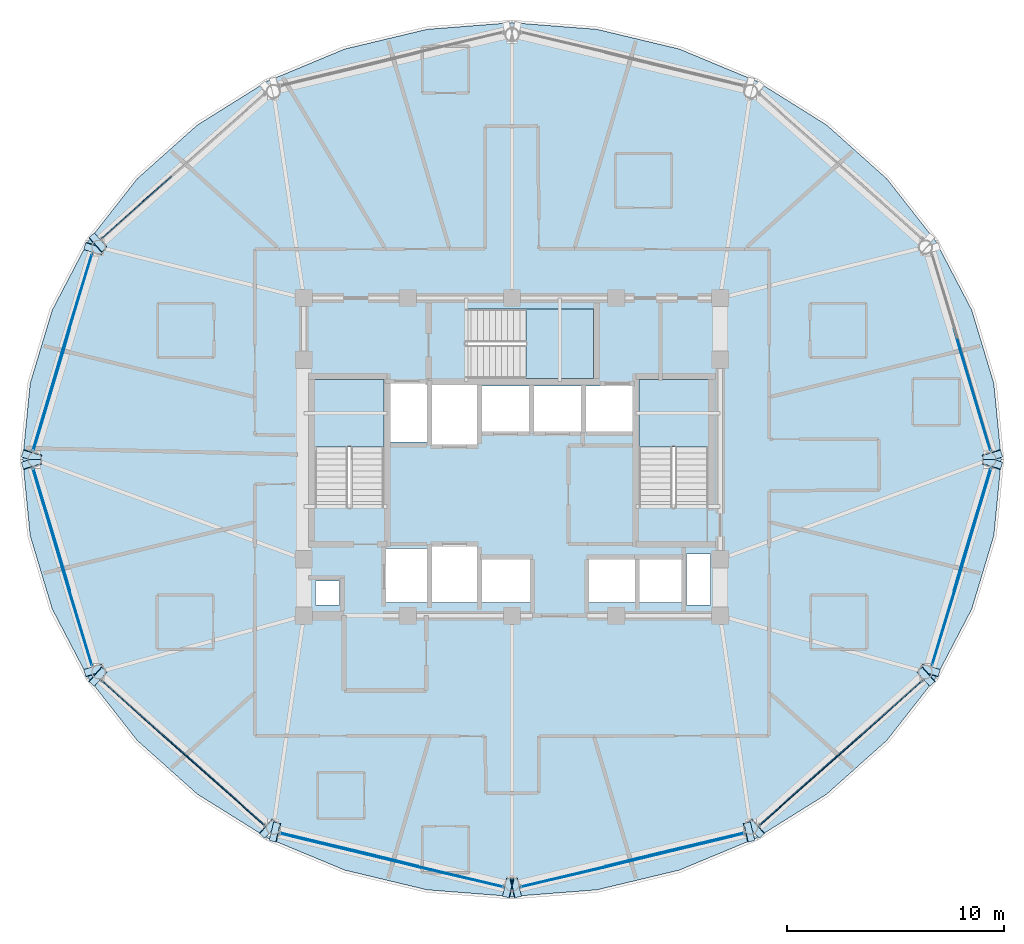
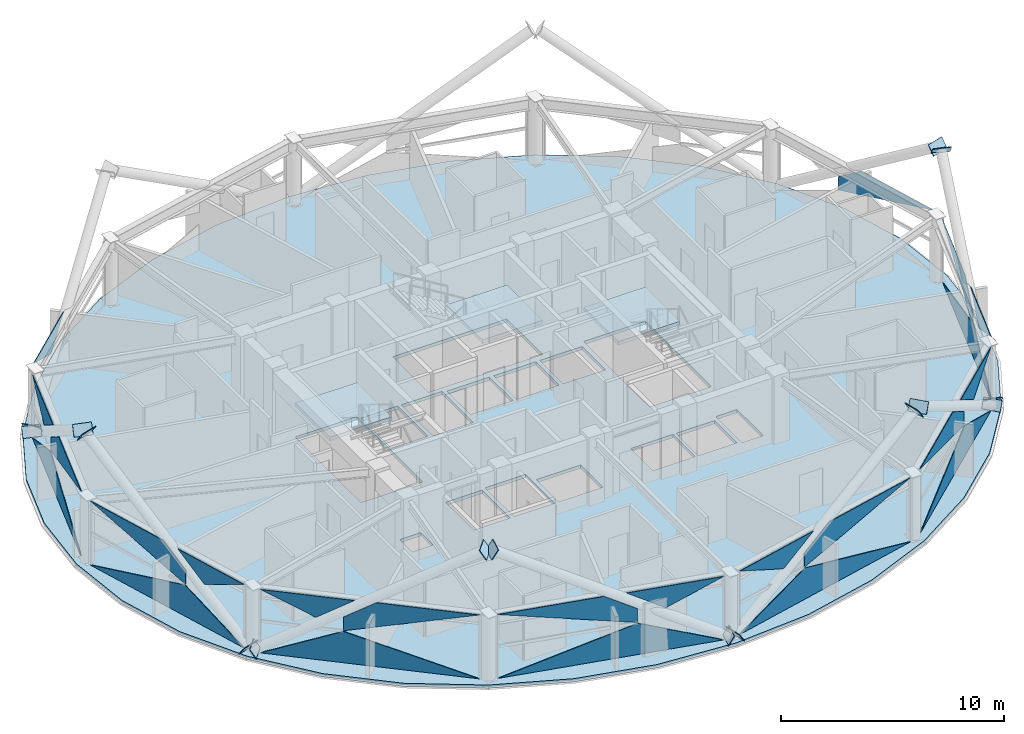
# One storey, part 20 of 29: 39 plates, 4 slabs, 12 elements without a shape of their own.
"""IFC4 building model written with IfcOpenShell, lengths in metres."""

from ifc_helpers import new_model, si_unit, direction, frame, origin, place, context, subcontext, project, spatial, polyline, outline, extrude, material, layer, layer_set, type_object, element, aggregate, save


model = new_model("IFC4")

# Units and contexts
model_context = context("Model", 3, precision=1e-05, world=origin(), true_north=direction((0.0, 1.0)))
body_context = subcontext(model_context, "Body", "Model", "MODEL_VIEW")
ifc_project = project(units=[si_unit("LENGTHUNIT", "METRE"), si_unit("AREAUNIT", "SQUARE_METRE"), si_unit("VOLUMEUNIT", "CUBIC_METRE"), si_unit("PLANEANGLEUNIT", "RADIAN"), si_unit("MASSUNIT", "GRAM", prefix="KILO")], contexts=[model_context])

# Site, building, storey
site_placement = place(None, origin())
site = spatial("IfcSite", under=ifc_project, at=site_placement, CompositionType="ELEMENT")
building_placement = place(site_placement, origin())
building = spatial("IfcBuilding", under=site, at=building_placement, Name="Vantalir Tower", CompositionType="ELEMENT")
storey_placement = place(building_placement, frame((0.0, 0.0, 219.89990234375)))
storey = spatial("IfcBuildingStorey", under=building, at=storey_placement, Name="L55", CompositionType="ELEMENT", Elevation=219.89990234375)

# Curtain wall, plate
ifc_material_1 = material(Name="Champagne-silver PVDF aluminium and double-silver Low-E glass", Category="aluminium")
ifc_layer_1 = layer(ifc_material_1, 0.2099609375)
ifc_layer_set_1 = layer_set([ifc_layer_1], Name="Champagne-silver PVDF aluminium and double-silver Low-E glass")
curtain_wall_type = type_object("IfcCurtainWallType", Name="CW-DIAMOND-Z3", PredefinedType="USERDEFINED", material=ifc_layer_set_1)
curtain_wall_1_placement = place(storey_placement, origin())
curtain_wall_1 = element("IfcCurtainWall", 1, at=curtain_wall_1_placement, inside=storey, type_object=curtain_wall_type, Name="L55 Quilted Pyramid-Diamond Curtain Wall S01", ObjectType="UNITISED CURTAIN WALL", PredefinedType="USERDEFINED")
ifc_material_2 = material(Name="Double-silver Low-E acoustic glass IGU", Category="glass")
ifc_layer_2 = layer(ifc_material_2, 0.031982421875)
ifc_layer_set_2 = layer_set([ifc_layer_2], Name="Double-silver Low-E acoustic glass IGU")
plate_type_1 = type_object("IfcPlateType", Name="CWP-IGU-32", PredefinedType="CURTAIN_PANEL", material=ifc_layer_set_2)
plate_1_placement = place(storey_placement, frame((53.58056640625, 25.406982421875, 3.5234375), z_axis=(0.957557363639, 0.287914713784, 0.013748197249), x_axis=(-0.287941206436, 0.957648087056, -5.4725193e-05)))
plate_1 = element("IfcPlate", 2, at=plate_1_placement, type_object=plate_type_1, Name="CW-L55-S01 Pyramid Diamond Facet 2U", PredefinedType="CURTAIN_PANEL", context=body_context, shape_type="SweptSolid", body=[
    extrude(outline(polyline([(0.0, 0.0), (4.455553396488735, 2.0057740190981832e-18), (5.873326933818842, -0.9824374492257266), (5.873361287401218, -1.7256714450875144), (0.0, 0.0)])), origin(), (0.0, 0.0, -1.0), 0.031982421875),
])
aggregate(curtain_wall_1, [plate_1])

curtain_wall_2_placement = place(storey_placement, origin())
curtain_wall_2 = element("IfcCurtainWall", 3, at=curtain_wall_2_placement, inside=storey, type_object=curtain_wall_type, Name="L55 Quilted Pyramid-Diamond Curtain Wall S05", ObjectType="UNITISED CURTAIN WALL", PredefinedType="USERDEFINED")
plate_2_placement = place(storey_placement, frame((15.78271484375, 38.069580078125, 3.52392578125), z_axis=(-0.665199383223, 0.746542545049, 0.013564991371), x_axis=(-0.746611749887, -0.665260018129, -5.6651624e-05)))
plate_2 = element("IfcPlate", 4, at=plate_2_placement, type_object=plate_type_1, Name="CW-L55-S05 Pyramid Diamond Facet 2U Infill Light", PredefinedType="CURTAIN_PANEL", context=body_context, shape_type="SweptSolid", body=[
    extrude(outline(polyline([(0.0, 0.0), (4.309507983716701, 2.656295322589486e-18), (1.7567963689053114, -1.1552802098499733), (0.0, 0.0)])), origin(), (0.0, 0.0, -1.0), 0.031982421875),
])
aggregate(curtain_wall_2, [plate_2])

# Curtain wall, plates
curtain_wall_3_placement = place(storey_placement, origin())
curtain_wall_3 = element("IfcCurtainWall", 5, at=curtain_wall_3_placement, inside=storey, type_object=curtain_wall_type, Name="L55 Quilted Pyramid-Diamond Curtain Wall S06", ObjectType="UNITISED CURTAIN WALL", PredefinedType="USERDEFINED")
plate_3_placement = place(storey_placement, frame((12.149658203125, 34.486083984375, 0.047119140625), z_axis=(0.957545460034, -0.287948928144, 0.01386025788), x_axis=(-0.287976248669, -0.957637551237, -2.5751252e-05)))
plate_3 = element("IfcPlate", 6, at=plate_3_placement, type_object=plate_type_1, Name="CW-L55-S06 Pyramid Diamond Facet 1L", PredefinedType="CURTAIN_PANEL", context=body_context, shape_type="SweptSolid", body=[
    extrude(outline(polyline([(0.0, 0.0), (9.48072843506402, 3.2255014631443757e-18), (3.607418022445197, -1.7256004506840508), (0.0, 0.0)])), origin(), (0.0, 0.0, -1.0), 0.031982421875),
])
plate_4_placement = place(storey_placement, frame((10.702392578125, 29.673828125, 3.523193359375), z_axis=(-0.957557363639, 0.287914713784, 0.013748197249), x_axis=(-0.287941206436, -0.957648087056, 5.4725193e-05)))
plate_4 = element("IfcPlate", 7, at=plate_4_placement, type_object=plate_type_1, Name="CW-L55-S06 Pyramid Diamond Facet 2U", PredefinedType="CURTAIN_PANEL", context=body_context, shape_type="SweptSolid", body=[
    extrude(outline(polyline([(0.0, 0.0), (4.455553396488735, -2.0057740190981832e-18), (-1.4178078909124832, -1.7256714450875144), (-1.4177735373301064, -0.9824374492257266), (0.0, 0.0)])), origin(), (0.0, 0.0, -1.0), 0.031982421875),
])
plate_5_placement = place(storey_placement, frame((12.115234375, 34.49658203125, 3.523681640625), z_axis=(-0.957547937677, 0.28794366385, 0.013798315063), x_axis=(-0.287971079066, -0.957639106147, 0.0)))
plate_5 = element("IfcPlate", 8, at=plate_5_placement, type_object=plate_type_1, Name="CW-L55-S06 Pyramid Diamond Facet 2U Infill Light", PredefinedType="CURTAIN_PANEL", context=body_context, shape_type="SweptSolid", body=[
    extrude(outline(polyline([(0.0, 0.0), (4.060941110971159, -3.469446951953614e-18), (2.4024804780970235, -1.1492793347398085), (0.0, 0.0)])), origin(), (0.0, 0.0, -1.0), 0.031982421875),
])
aggregate(curtain_wall_3, [plate_3, plate_4, plate_5])

curtain_wall_4_placement = place(storey_placement, origin())
curtain_wall_4 = element("IfcCurtainWall", 9, at=curtain_wall_4_placement, inside=storey, type_object=curtain_wall_type, Name="L55 Quilted Pyramid-Diamond Curtain Wall S07", ObjectType="UNITISED CURTAIN WALL", PredefinedType="USERDEFINED")
plate_6_placement = place(storey_placement, frame((9.41943359375, 24.593017578125, 0.046875), z_axis=(0.957545460034, 0.287948928144, 0.01386025788), x_axis=(0.287976248669, -0.957637551237, 2.5751252e-05)))
plate_6 = element("IfcPlate", 10, at=plate_6_placement, type_object=plate_type_1, Name="CW-L55-S07 Pyramid Diamond Facet 1L", PredefinedType="CURTAIN_PANEL", context=body_context, shape_type="SweptSolid", body=[
    extrude(outline(polyline([(0.0, 0.0), (9.48072843506402, -3.2255014631443757e-18), (5.873310412618822, -1.725600450684051), (0.0, 0.0)])), origin(), (0.0, 0.0, -1.0), 0.031982421875),
])
plate_7_placement = place(storey_placement, frame((9.41943359375, 24.593017578125, 3.5234375), z_axis=(-0.957557363639, -0.287914713784, 0.013748197249), x_axis=(0.287941206436, -0.957648087056, -5.4725193e-05)))
plate_7 = element("IfcPlate", 11, at=plate_7_placement, type_object=plate_type_1, Name="CW-L55-S07 Pyramid Diamond Facet 2U", PredefinedType="CURTAIN_PANEL", context=body_context, shape_type="SweptSolid", body=[
    extrude(outline(polyline([(0.0, 0.0), (4.455553396488735, 2.0057740190981832e-18), (5.873326933818842, -0.9824374492257266), (5.873361287401218, -1.7256714450875144), (0.0, 0.0)])), origin(), (0.0, 0.0, -1.0), 0.031982421875),
])
plate_8_placement = place(storey_placement, frame((10.94580078125, 19.392333984375, 3.523681640625), z_axis=(-0.957547937677, -0.28794366385, 0.013798315063), x_axis=(0.287971079066, -0.957639106147, 0.0)))
plate_8 = element("IfcPlate", 12, at=plate_8_placement, type_object=plate_type_1, Name="CW-L55-S07 Pyramid Diamond Facet 2U Infill Light", PredefinedType="CURTAIN_PANEL", context=body_context, shape_type="SweptSolid", body=[
    extrude(outline(polyline([(0.0, 0.0), (4.060941110971159, 3.469446951953614e-18), (1.6584606328741354, -1.1492793347398085), (0.0, 0.0)])), origin(), (0.0, 0.0, -1.0), 0.031982421875),
])
aggregate(curtain_wall_4, [plate_6, plate_7, plate_8])

curtain_wall_5_placement = place(storey_placement, origin())
curtain_wall_5 = element("IfcCurtainWall", 13, at=curtain_wall_5_placement, inside=storey, type_object=curtain_wall_type, Name="L55 Quilted Pyramid-Diamond Curtain Wall S08", ObjectType="UNITISED CURTAIN WALL", PredefinedType="USERDEFINED")
plate_9_placement = place(storey_placement, frame((12.589111328125, 14.82421875, 0.046875), z_axis=(0.665261450361, 0.746487707124, 0.01353904634), x_axis=(0.746556353236, -0.66532218575, -2.4328891e-05)))
plate_9 = element("IfcPlate", 14, at=plate_9_placement, type_object=plate_type_1, Name="CW-L55-S08 Pyramid Diamond Facet 1L", PredefinedType="CURTAIN_PANEL", context=body_context, shape_type="SweptSolid", body=[
    extrude(outline(polyline([(0.0, 0.0), (10.035008323591855, -5.421010862427522e-18), (3.8142440704748686, -1.7260810825309927), (0.0, 0.0)])), origin(), (0.0, 0.0, -1.0), 0.031982421875),
])
plate_10_placement = place(storey_placement, frame((16.553466796875, 11.291259765625, 3.5234375), z_axis=(-0.665260984347, -0.746487929362, 0.013549687172), x_axis=(0.746556463605, -0.66532206235, -6.1526e-08)))
plate_10 = element("IfcPlate", 15, at=plate_10_placement, type_object=plate_type_1, Name="CW-L55-S08 Pyramid Diamond Facet 2U", PredefinedType="CURTAIN_PANEL", context=body_context, shape_type="SweptSolid", body=[
    extrude(outline(polyline([(0.0, 0.0), (4.724837563716555, 6.938893903907228e-18), (-1.4958845954408355, -1.7262327810690576), (-1.4959988890085334, -0.9839774318241932), (0.0, 0.0)])), origin(), (0.0, 0.0, -1.0), 0.031982421875),
])
plate_11_placement = place(storey_placement, frame((12.565185546875, 14.79736328125, 3.523681640625), z_axis=(-0.66525589067, -0.74649266221, 0.01353902491), x_axis=(0.746561598804, -0.665316297697, 5.6656416e-05)))
plate_11 = element("IfcPlate", 16, at=plate_11_placement, type_object=plate_type_1, Name="CW-L55-S08 Pyramid Diamond Facet 2U Infill Light", PredefinedType="CURTAIN_PANEL", context=body_context, shape_type="SweptSolid", body=[
    extrude(outline(polyline([(0.0, 0.0), (4.309143439441601, 3.957337929572091e-18), (2.5525305173533726, -1.1552798052092268), (0.0, 0.0)])), origin(), (0.0, 0.0, -1.0), 0.031982421875),
])
aggregate(curtain_wall_5, [plate_9, plate_10, plate_11])

curtain_wall_6_placement = place(storey_placement, origin())
curtain_wall_6 = element("IfcCurtainWall", 17, at=curtain_wall_6_placement, inside=storey, type_object=curtain_wall_type, Name="L55 Quilted Pyramid-Diamond Curtain Wall S09", ObjectType="UNITISED CURTAIN WALL", PredefinedType="USERDEFINED")
plate_12_placement = place(storey_placement, frame((20.811279296875, 7.766357421875, 0.046630859375), z_axis=(0.232233400525, 0.972562501405, 0.013777827875), x_axis=(0.972654750392, -0.232255755594, 2.3110025e-05)))
plate_12 = element("IfcPlate", 18, at=plate_12_placement, type_object=plate_type_1, Name="CW-L55-S09 Pyramid Diamond Facet 1L", PredefinedType="CURTAIN_PANEL", context=body_context, shape_type="SweptSolid", body=[
    extrude(outline(polyline([(0.0, 0.0), (10.56427331575007, 4.363913744254155e-18), (6.544886132642092, -1.726330968572304), (0.0, 0.0)])), origin(), (0.0, 0.0, -1.0), 0.031982421875),
])
plate_13_placement = place(storey_placement, frame((20.811279296875, 7.766357421875, 3.523681640625), z_axis=(-0.232232850442, -0.972562851595, 0.013762371649), x_axis=(0.972654809729, -0.232255503064, -4.9075755e-05)))
plate_13 = element("IfcPlate", 19, at=plate_13_placement, type_object=plate_type_1, Name="CW-L55-S09 Pyramid Diamond Facet 2U", PredefinedType="CURTAIN_PANEL", context=body_context, shape_type="SweptSolid", body=[
    extrude(outline(polyline([(0.0, 0.0), (4.982443629568016, -2.087089182034596e-18), (6.544944140739554, -0.9797520601737163), (6.544930957435923, -1.7264051820015613), (0.0, 0.0)])), origin(), (0.0, 0.0, -1.0), 0.031982421875),
])
plate_14_placement = place(storey_placement, frame((26.656005859375, 6.333740234375, 3.52392578125), z_axis=(-0.23226619267, -0.972554279712, 0.013805388684), x_axis=(0.972646971917, -0.232288329497, 0.0)))
plate_14 = element("IfcPlate", 20, at=plate_14_placement, type_object=plate_type_1, Name="CW-L55-S09 Pyramid Diamond Facet 2U Infill Light", PredefinedType="CURTAIN_PANEL", context=body_context, shape_type="SweptSolid", body=[
    extrude(outline(polyline([(0.0, 0.0), (4.5467301178491875, -1.734723475976807e-18), (1.8479654880416123, -1.1590460027064833), (0.0, 0.0)])), origin(), (0.0, 0.0, -1.0), 0.031982421875),
])
aggregate(curtain_wall_6, [plate_12, plate_13, plate_14])

curtain_wall_7_placement = place(storey_placement, origin())
curtain_wall_7 = element("IfcCurtainWall", 21, at=curtain_wall_7_placement, inside=storey, type_object=curtain_wall_type, Name="L55 Quilted Pyramid-Diamond Curtain Wall S10", ObjectType="UNITISED CURTAIN WALL", PredefinedType="USERDEFINED")
plate_15_placement = place(storey_placement, frame((31.913330078125, 5.312744140625, 0.046875), z_axis=(-0.232233400525, 0.972562501405, 0.013777827875), x_axis=(0.972654750392, 0.232255755594, -2.3110025e-05)))
plate_15 = element("IfcPlate", 22, at=plate_15_placement, type_object=plate_type_1, Name="CW-L55-S10 Pyramid Diamond Facet 1L", PredefinedType="CURTAIN_PANEL", context=body_context, shape_type="SweptSolid", body=[
    extrude(outline(polyline([(0.0, 0.0), (10.56427331575007, -4.363913744254155e-18), (4.019387183107976, -1.726330968572304), (0.0, 0.0)])), origin(), (0.0, 0.0, -1.0), 0.031982421875),
])
plate_16_placement = place(storey_placement, frame((37.342529296875, 6.609130859375, 3.5234375), z_axis=(0.232232850442, -0.972562851595, 0.013762371649), x_axis=(0.972654809729, 0.232255503064, 4.9075755e-05)))
plate_16 = element("IfcPlate", 23, at=plate_16_placement, type_object=plate_type_1, Name="CW-L55-S10 Pyramid Diamond Facet 2U", PredefinedType="CURTAIN_PANEL", context=body_context, shape_type="SweptSolid", body=[
    extrude(outline(polyline([(0.0, 0.0), (4.982443629568016, 2.087089182034596e-18), (-1.5624873278679068, -1.7264051820015613), (-1.5625005111715384, -0.9797520601737163), (0.0, 0.0)])), origin(), (0.0, 0.0, -1.0), 0.031982421875),
])
plate_17_placement = place(storey_placement, frame((31.921630859375, 5.277587890625, 3.52392578125), z_axis=(0.23226619267, -0.972554279712, 0.013805388684), x_axis=(0.972646971917, 0.232288329497, 0.0)))
plate_17 = element("IfcPlate", 24, at=plate_17_placement, type_object=plate_type_1, Name="CW-L55-S10 Pyramid Diamond Facet 2U Infill Light", PredefinedType="CURTAIN_PANEL", context=body_context, shape_type="SweptSolid", body=[
    extrude(outline(polyline([(0.0, 0.0), (4.5467301178491875, 1.734723475976807e-18), (2.6987646298075756, -1.1590460027064833), (0.0, 0.0)])), origin(), (0.0, 0.0, -1.0), 0.031982421875),
])
aggregate(curtain_wall_7, [plate_15, plate_16, plate_17])

curtain_wall_8_placement = place(storey_placement, origin())
curtain_wall_8 = element("IfcCurtainWall", 25, at=curtain_wall_8_placement, inside=storey, type_object=curtain_wall_type, Name="L55 Quilted Pyramid-Diamond Curtain Wall S11", ObjectType="UNITISED CURTAIN WALL", PredefinedType="USERDEFINED")
plate_18_placement = place(storey_placement, frame((42.919189453125, 8.147705078125, 0.046630859375), z_axis=(-0.665261450361, 0.746487707124, 0.01353904634), x_axis=(0.746556353236, 0.66532218575, 2.4328891e-05)))
plate_18 = element("IfcPlate", 26, at=plate_18_placement, type_object=plate_type_1, Name="CW-L55-S11 Pyramid Diamond Facet 1L", PredefinedType="CURTAIN_PANEL", context=body_context, shape_type="SweptSolid", body=[
    extrude(outline(polyline([(0.0, 0.0), (10.035008323591855, 5.421010862427522e-18), (6.220764253116987, -1.7260810825309927), (0.0, 0.0)])), origin(), (0.0, 0.0, -1.0), 0.031982421875),
])
plate_19_placement = place(storey_placement, frame((42.919189453125, 8.147705078125, 3.5234375), z_axis=(0.665260984347, -0.746487929362, 0.013549687172), x_axis=(0.746556463605, 0.66532206235, 6.1526e-08)))
plate_19 = element("IfcPlate", 27, at=plate_19_placement, type_object=plate_type_1, Name="CW-L55-S11 Pyramid Diamond Facet 2U", PredefinedType="CURTAIN_PANEL", context=body_context, shape_type="SweptSolid", body=[
    extrude(outline(polyline([(0.0, 0.0), (4.724837563716555, -6.938893903907228e-18), (6.220836452725089, -0.9839774318241932), (6.220722159157391, -1.7262327810690576), (0.0, 0.0)])), origin(), (0.0, 0.0, -1.0), 0.031982421875),
])
plate_20_placement = place(storey_placement, frame((47.2177734375, 11.930419921875, 3.52392578125), z_axis=(0.66525589067, -0.74649266221, 0.01353902491), x_axis=(0.746561598804, 0.665316297697, -5.6656416e-05)))
plate_20 = element("IfcPlate", 28, at=plate_20_placement, type_object=plate_type_1, Name="CW-L55-S11 Pyramid Diamond Facet 2U Infill Light", PredefinedType="CURTAIN_PANEL", context=body_context, shape_type="SweptSolid", body=[
    extrude(outline(polyline([(0.0, 0.0), (4.309143439441601, -3.957337929572091e-18), (1.7566129220882283, -1.155279805209227), (0.0, 0.0)])), origin(), (0.0, 0.0, -1.0), 0.031982421875),
])
aggregate(curtain_wall_8, [plate_18, plate_19, plate_20])

curtain_wall_9_placement = place(storey_placement, origin())
curtain_wall_9 = element("IfcCurtainWall", 29, at=curtain_wall_9_placement, inside=storey, type_object=curtain_wall_type, Name="L55 Quilted Pyramid-Diamond Curtain Wall S12", ObjectType="UNITISED CURTAIN WALL", PredefinedType="USERDEFINED")
plate_21_placement = place(storey_placement, frame((50.850341796875, 15.513916015625, 0.047119140625), z_axis=(-0.957545460034, 0.287948928144, 0.01386025788), x_axis=(0.287976248669, 0.957637551237, -2.5751252e-05)))
plate_21 = element("IfcPlate", 30, at=plate_21_placement, type_object=plate_type_1, Name="CW-L55-S12 Pyramid Diamond Facet 1L", PredefinedType="CURTAIN_PANEL", context=body_context, shape_type="SweptSolid", body=[
    extrude(outline(polyline([(0.0, 0.0), (9.48072843506402, 3.2255014631443757e-18), (3.607418022445197, -1.7256004506840508), (0.0, 0.0)])), origin(), (0.0, 0.0, -1.0), 0.031982421875),
])
plate_22_placement = place(storey_placement, frame((52.297607421875, 20.326171875, 3.523193359375), z_axis=(0.957557363639, -0.287914713784, 0.013748197249), x_axis=(0.287941206436, 0.957648087056, 5.4725193e-05)))
plate_22 = element("IfcPlate", 31, at=plate_22_placement, type_object=plate_type_1, Name="CW-L55-S12 Pyramid Diamond Facet 2U", PredefinedType="CURTAIN_PANEL", context=body_context, shape_type="SweptSolid", body=[
    extrude(outline(polyline([(0.0, 0.0), (4.455553396488735, -2.0057740190981832e-18), (-1.4178078909124832, -1.7256714450875144), (-1.4177735373301064, -0.9824374492257266), (0.0, 0.0)])), origin(), (0.0, 0.0, -1.0), 0.031982421875),
])
plate_23_placement = place(storey_placement, frame((50.884765625, 15.50341796875, 3.523681640625), z_axis=(0.957547937677, -0.28794366385, 0.013798315063), x_axis=(0.287971079066, 0.957639106147, 0.0)))
plate_23 = element("IfcPlate", 32, at=plate_23_placement, type_object=plate_type_1, Name="CW-L55-S12 Pyramid Diamond Facet 2U Infill Light", PredefinedType="CURTAIN_PANEL", context=body_context, shape_type="SweptSolid", body=[
    extrude(outline(polyline([(0.0, 0.0), (4.060941110971159, -3.469446951953614e-18), (2.4024804780970235, -1.1492793347398085), (0.0, 0.0)])), origin(), (0.0, 0.0, -1.0), 0.031982421875),
])
aggregate(curtain_wall_9, [plate_21, plate_22, plate_23])

# Plates
ifc_material_3 = material(Name="Steel S460", Category="steel")
ifc_layer_3 = layer(ifc_material_3, 0.035888671875)
ifc_layer_set_3 = layer_set([ifc_layer_3], Name="Steel S460")
plate_type_2 = type_object("IfcPlateType", Name="PLT-KN-Z2", PredefinedType="USERDEFINED", material=ifc_layer_set_3)
plate_24_placement = place(storey_placement, frame((53.28369140625, 24.8662109375, 6.892333984375), z_axis=(0.236721394033, -0.787132843453, 0.569547950891), x_axis=(0.95763507036, 0.287984499006, -1.8701248e-05)))
element("IfcPlate", 33, at=plate_24_placement, inside=storey, type_object=plate_type_2, Name="Node Cap Plate MEM-DG-L55-R04R End", ObjectType="FLANGE_PLATE", PredefinedType="USERDEFINED", context=body_context, shape_type="SweptSolid", body=[
    extrude(outline(polyline([(0.0, 0.0), (0.8800498468870532, 0.0), (0.8799799518025769, 0.5801063250242647), (0.0001639025401231746, 0.5800662844332172), (0.0, 0.0)])), origin(), (0.0, 0.0, -1.0), 0.035888671875),
])
plate_25_placement = place(storey_placement, frame((11.7490234375, 34.68212890625, -0.0283203125), z_axis=(-0.236642442601, -0.786984308148, 0.569785971298), x_axis=(0.957642842649, -0.287958653149, 0.0)))
element("IfcPlate", 34, at=plate_25_placement, inside=storey, type_object=plate_type_2, Name="Node Cap Plate MEM-DG-L55-R16L Start", ObjectType="FLANGE_PLATE", PredefinedType="USERDEFINED", context=body_context, shape_type="SweptSolid", body=[
    extrude(outline(polyline([(0.0, 0.0), (0.8800498473614676, 0.0), (0.8801197433947351, 0.579905675976873), (6.989603326747949e-05, 0.579905675976873), (0.0, 0.0)])), origin(), (0.0, 0.0, -1.0), 0.035888671875),
])
plate_26_placement = place(storey_placement, frame((8.87353515625, 25.11962890625, 6.892333984375), z_axis=(-0.236721394033, -0.787132843453, 0.569547950891), x_axis=(0.95763507036, -0.287984499006, 1.8701248e-05)))
element("IfcPlate", 35, at=plate_26_placement, inside=storey, type_object=plate_type_2, Name="Node Cap Plate MEM-DG-L55-R16L End", ObjectType="FLANGE_PLATE", PredefinedType="USERDEFINED", context=body_context, shape_type="SweptSolid", body=[
    extrude(outline(polyline([(0.0, 0.0), (0.8800498468870532, 0.0), (0.8798859443469301, 0.5800662844332172), (6.989508447634422e-05, 0.5801063250242647), (0.0, 0.0)])), origin(), (0.0, 0.0, -1.0), 0.035888671875),
])
plate_27_placement = place(storey_placement, frame((12.825927734375, 34.79736328125, -0.036865234375), z_axis=(0.623687824025, 0.555779785214, 0.549656555051), x_axis=(-0.665293215937, 0.746582170178, 0.0)))
element("IfcPlate", 36, at=plate_27_placement, inside=storey, type_object=plate_type_2, Name="Node Cap Plate MEM-DG-L55-R16R Start", ObjectType="FLANGE_PLATE", PredefinedType="USERDEFINED", context=body_context, shape_type="SweptSolid", body=[
    extrude(outline(polyline([(0.0, 0.0), (0.8799867558024528, 0.0), (0.8799576981007999, 0.5801107473651889), (-2.9057701652914416e-05, 0.5801107473651889), (0.0, 0.0)])), origin(), (0.0, 0.0, -1.0), 0.035888671875),
])
for number, where, z_axis, x_axis, name in (
    (37, (12.240478515625, 14.545654296875, -0.036865234375), (0.623687824025, -0.555779785214, 0.549656555051), (0.665293215937, 0.746582170178, 0.0), "Node Cap Plate MEM-DG-L55-R22L Start"),
    (38, (20.1044921875, 7.537109375, 6.892333984375), (0.623687824025, -0.555779785214, 0.549656555051), (0.665293215937, 0.746582170178, 0.0), "Node Cap Plate MEM-DG-L55-R22L End"),
):
    element("IfcPlate", number, at=place(storey_placement, frame(where, z_axis=z_axis, x_axis=x_axis)), inside=storey, type_object=plate_type_2, Name=name, ObjectType="FLANGE_PLATE", PredefinedType="USERDEFINED", context=body_context, shape_type="SweptSolid", body=[
        extrude(outline(polyline([(0.0, 0.0), (0.8799867558024528, 0.0), (0.8800158135041058, 0.5801107473651889), (2.9057701652914416e-05, 0.5801107473651889), (0.0, 0.0)])), origin(), (0.0, 0.0, -1.0), 0.035888671875),
    ])
plate_28_placement = place(storey_placement, frame((12.591796875, 15.5712890625, -0.0283203125), z_axis=(-0.236642442601, 0.786984308148, 0.569785971298), x_axis=(-0.957642842649, -0.287958653149, 0.0)))
element("IfcPlate", 39, at=plate_28_placement, inside=storey, type_object=plate_type_2, Name="Node Cap Plate MEM-DG-L55-R22R Start", ObjectType="FLANGE_PLATE", PredefinedType="USERDEFINED", context=body_context, shape_type="SweptSolid", body=[
    extrude(outline(polyline([(0.0, 0.0), (0.8800498473614676, 0.0), (0.8799799513282002, 0.579905675976873), (-6.989603326747949e-05, 0.579905675976873), (0.0, 0.0)])), origin(), (0.0, 0.0, -1.0), 0.035888671875),
])
plate_29_placement = place(storey_placement, frame((9.71630859375, 25.1337890625, 6.892333984375), z_axis=(-0.236721394033, 0.787132843453, 0.569547950891), x_axis=(-0.95763507036, -0.287984499006, -1.8701248e-05)))
element("IfcPlate", 40, at=plate_29_placement, inside=storey, type_object=plate_type_2, Name="Node Cap Plate MEM-DG-L55-R22R End", ObjectType="FLANGE_PLATE", PredefinedType="USERDEFINED", context=body_context, shape_type="SweptSolid", body=[
    extrude(outline(polyline([(0.0, 0.0), (0.8800498468870532, 0.0), (0.8799799518025769, 0.5801063250242647), (0.0001639025401231746, 0.5800662844332172), (0.0, 0.0)])), origin(), (0.0, 0.0, -1.0), 0.035888671875),
])
for number, where, z_axis, x_axis, name in (
    (41, (31.93994140625, 4.86669921875, -0.04443359375), (0.824018678436, 0.196720945194, 0.531313548962), (-0.232208086854, 0.972666132031, 0.0), "Node Cap Plate MEM-DG-L55-R28L Start"),
    (42, (42.69580078125, 7.43505859375, 6.892333984375), (0.824018678436, 0.196720945194, 0.531313548962), (-0.232208086854, 0.972666132031, 0.0), "Node Cap Plate MEM-DG-L55-R28L End"),
):
    element("IfcPlate", number, at=place(storey_placement, frame(where, z_axis=z_axis, x_axis=x_axis)), inside=storey, type_object=plate_type_2, Name=name, ObjectType="FLANGE_PLATE", PredefinedType="USERDEFINED", context=body_context, shape_type="SweptSolid", body=[
        extrude(outline(polyline([(0.0, 0.0), (0.8800111395499287, 1.3877787807814457e-17), (0.8800502884687683, 0.5801102844102207), (3.9148918839590485e-05, 0.5801102844102207), (0.0, 0.0)])), origin(), (0.0, 0.0, -1.0), 0.035888671875),
    ])
for number, where, z_axis, x_axis, name in (
    (43, (31.264404296875, 5.72265625, -0.04443359375), (-0.824018678436, 0.196720945194, 0.531313548962), (-0.232208086854, -0.972666132031, 0.0), "Node Cap Plate MEM-DG-L55-R28R Start"),
    (44, (20.508544921875, 8.291015625, 6.892333984375), (-0.824018678436, 0.196720945194, 0.531313548962), (-0.232208086854, -0.972666132031, 0.0), "Node Cap Plate MEM-DG-L55-R28R End"),
):
    element("IfcPlate", number, at=place(storey_placement, frame(where, z_axis=z_axis, x_axis=x_axis)), inside=storey, type_object=plate_type_2, Name=name, ObjectType="FLANGE_PLATE", PredefinedType="USERDEFINED", context=body_context, shape_type="SweptSolid", body=[
        extrude(outline(polyline([(0.0, 0.0), (0.8800111395499287, -1.3877787807814457e-17), (0.8799719906310891, 0.5801102844102207), (-3.9148918839590485e-05, 0.5801102844102207), (0.0, 0.0)])), origin(), (0.0, 0.0, -1.0), 0.035888671875),
    ])
plate_30_placement = place(storey_placement, frame((51.2509765625, 15.31787109375, -0.0283203125), z_axis=(0.236642442601, 0.786984308148, 0.569785971298), x_axis=(-0.957642842649, 0.287958653149, 0.0)))
element("IfcPlate", 45, at=plate_30_placement, inside=storey, type_object=plate_type_2, Name="Node Cap Plate MEM-DG-L55-R34L Start", ObjectType="FLANGE_PLATE", PredefinedType="USERDEFINED", context=body_context, shape_type="SweptSolid", body=[
    extrude(outline(polyline([(0.0, 0.0), (0.8800498473614676, 0.0), (0.8801197433947351, 0.579905675976873), (6.989603326747949e-05, 0.579905675976873), (0.0, 0.0)])), origin(), (0.0, 0.0, -1.0), 0.035888671875),
])
plate_31_placement = place(storey_placement, frame((54.12646484375, 24.88037109375, 6.892333984375), z_axis=(0.236721394033, 0.787132843453, 0.569547950891), x_axis=(-0.95763507036, 0.287984499006, 1.8701248e-05)))
element("IfcPlate", 46, at=plate_31_placement, inside=storey, type_object=plate_type_2, Name="Node Cap Plate MEM-DG-L55-R34L End", ObjectType="FLANGE_PLATE", PredefinedType="USERDEFINED", context=body_context, shape_type="SweptSolid", body=[
    extrude(outline(polyline([(0.0, 0.0), (0.8800498468870532, 0.0), (0.8798859443469301, 0.5800662844332172), (6.989508447634422e-05, 0.5801063250242647), (0.0, 0.0)])), origin(), (0.0, 0.0, -1.0), 0.035888671875),
])
for number, where, z_axis, x_axis, name in (
    (47, (50.174072265625, 15.20263671875, -0.036865234375), (-0.623687824025, -0.555779785214, 0.549656555051), (0.665293215937, -0.746582170178, 0.0), "Node Cap Plate MEM-DG-L55-R34R Start"),
    (48, (42.31005859375, 8.194091796875, 6.892333984375), (-0.623687824025, -0.555779785214, 0.549656555051), (0.665293215937, -0.746582170178, 0.0), "Node Cap Plate MEM-DG-L55-R34R End"),
):
    element("IfcPlate", number, at=place(storey_placement, frame(where, z_axis=z_axis, x_axis=x_axis)), inside=storey, type_object=plate_type_2, Name=name, ObjectType="FLANGE_PLATE", PredefinedType="USERDEFINED", context=body_context, shape_type="SweptSolid", body=[
        extrude(outline(polyline([(0.0, 0.0), (0.8799867558024528, 0.0), (0.8799576981007999, 0.5801107473651889), (-2.9057701652914416e-05, 0.5801107473651889), (0.0, 0.0)])), origin(), (0.0, 0.0, -1.0), 0.035888671875),
    ])

# Stair, slab
ifc_material_4 = material(Name="Concrete C40/50", Category="concrete")
stair_type = type_object("IfcStairType", Name="STR-CORE-1450", PredefinedType="HALF_TURN_STAIR", material=ifc_material_4)
stair_1_placement = place(storey_placement, origin())
stair_1 = element("IfcStair", 49, at=stair_1_placement, inside=storey, type_object=stair_type, Name="L55 Core Exit Stair 1", PredefinedType="HALF_TURN_STAIR")
ifc_layer_4 = layer(ifc_material_4, 0.199951171875)
ifc_layer_set_4 = layer_set([ifc_layer_4], Name="Concrete C40/50")
slab_type_1 = type_object("IfcSlabType", Name="SL-LAND-200", PredefinedType="LANDING", material=ifc_layer_set_4)
slab_1_placement = place(storey_placement, frame((0.0, 0.0, 1.675048828125)))
slab_1 = element("IfcSlab", 50, at=slab_1_placement, type_object=slab_type_1, Name="ST1 landing 1", PredefinedType="LANDING", context=body_context, shape_type="SweptSolid", body=[
    extrude(outline(polyline([(25.60009765625, 25.590087890625), (25.60009765625, 28.699951171875), (22.39990234375, 28.699951171875), (22.39990234375, 25.590087890625), (25.60009765625, 25.590087890625)])), origin(), (0.0, 0.0, 1.0), 0.199951171875),
])
aggregate(stair_1, [slab_1])

stair_2_placement = place(storey_placement, origin())
stair_2 = element("IfcStair", 51, at=stair_2_placement, inside=storey, type_object=stair_type, Name="L55 Core Exit Stair 2", PredefinedType="HALF_TURN_STAIR")
slab_2_placement = place(storey_placement, frame((0.0, 0.0, 1.675048828125)))
slab_2 = element("IfcSlab", 52, at=slab_2_placement, type_object=slab_type_1, Name="ST2 landing 1", PredefinedType="LANDING", context=body_context, shape_type="SweptSolid", body=[
    extrude(outline(polyline([(40.550048828125, 25.590087890625), (40.550048828125, 28.699951171875), (37.35009765625, 28.699951171875), (37.35009765625, 25.590087890625), (40.550048828125, 25.590087890625)])), origin(), (0.0, 0.0, 1.0), 0.199951171875),
])
aggregate(stair_2, [slab_2])

stair_3_placement = place(storey_placement, origin())
stair_3 = element("IfcStair", 53, at=stair_3_placement, inside=storey, type_object=stair_type, Name="L55 Core Exit Stair 3", PredefinedType="HALF_TURN_STAIR")
slab_3_placement = place(storey_placement, frame((0.0, 0.0, 1.675048828125)))
slab_3 = element("IfcSlab", 54, at=slab_3_placement, type_object=slab_type_1, Name="ST3 landing 1", PredefinedType="LANDING", context=body_context, shape_type="SweptSolid", body=[
    extrude(outline(polyline([(32.139892578125, 28.75), (35.25, 28.75), (35.25, 31.949951171875), (32.139892578125, 31.949951171875), (32.139892578125, 28.75)])), origin(), (0.0, 0.0, 1.0), 0.199951171875),
])
aggregate(stair_3, [slab_3])

# Slab
ifc_layer_5 = layer(ifc_material_4, 0.179931640625)
ifc_layer_set_5 = layer_set([ifc_layer_5], Name="Concrete C40/50")
slab_type_2 = type_object("IfcSlabType", Name="SL-TWR-180", PredefinedType="FLOOR", material=ifc_layer_set_5)
slab_4_placement = place(storey_placement, frame((0.0, 0.0, -0.179931640625)))
element("IfcSlab", 55, at=slab_4_placement, inside=storey, type_object=slab_type_2, Name="L55 Primary Structural Slab", PredefinedType="FLOOR", context=body_context, shape_type="SweptSolid", body=[
    extrude(outline(polyline([(14.216064453125, 12.050048828125), (16.9970703125, 9.56689453125), (20.218017578125, 7.552978515625), (23.782958984375, 6.069091796875), (27.58203125, 5.159912109375), (31.5, 4.85400390625), (35.41796875, 5.159912109375), (39.217041015625, 6.069091796875), (42.781982421875, 7.552978515625), (46.0029296875, 9.56689453125), (48.783935546875, 12.050048828125), (51.0400390625, 14.927001953125), (52.701904296875, 18.110107421875), (53.719970703125, 21.501953125), (54.06298828125, 25.0), (53.719970703125, 28.498046875), (52.701904296875, 31.889892578125), (51.0400390625, 35.072998046875), (48.783935546875, 37.949951171875), (46.0029296875, 40.43310546875), (42.781982421875, 42.447021484375), (39.217041015625, 43.930908203125), (35.41796875, 44.840087890625), (31.5, 45.14599609375), (27.58203125, 44.840087890625), (23.782958984375, 43.930908203125), (20.218994140625, 42.447021484375), (16.9970703125, 40.43310546875), (14.216064453125, 37.949951171875), (11.9599609375, 35.072998046875), (10.298095703125, 31.889892578125), (9.280029296875, 28.498046875), (8.93701171875, 25.0), (9.280029296875, 21.501953125), (10.298095703125, 18.110107421875), (11.9599609375, 14.927001953125), (14.216064453125, 12.050048828125)]), holes=[polyline([(22.39990234375, 28.699951171875), (25.60009765625, 28.699951171875), (25.60009765625, 22.7900390625), (22.39990234375, 22.7900390625), (22.39990234375, 28.699951171875)]), polyline([(40.550048828125, 28.699951171875), (40.550048828125, 22.7900390625), (37.35009765625, 22.7900390625), (37.35009765625, 28.699951171875), (40.550048828125, 28.699951171875)]), polyline([(29.340087890625, 28.75), (29.340087890625, 31.949951171875), (35.25, 31.949951171875), (35.25, 28.75), (29.340087890625, 28.75)]), polyline([(25.699951171875, 18.39990234375), (25.699951171875, 20.89990234375), (27.60009765625, 20.89990234375), (27.60009765625, 18.39990234375), (25.699951171875, 18.39990234375)]), polyline([(25.699951171875, 28.5), (27.60009765625, 28.5), (27.60009765625, 25.800048828125), (25.699951171875, 25.800048828125), (25.699951171875, 28.5)]), polyline([(29.89990234375, 21.0), (29.89990234375, 18.39990234375), (27.800048828125, 18.39990234375), (27.800048828125, 21.0), (29.89990234375, 21.0)]), polyline([(29.89990234375, 25.699951171875), (27.800048828125, 25.699951171875), (27.800048828125, 28.5), (29.89990234375, 28.5), (29.89990234375, 25.699951171875)]), polyline([(30.10009765625, 18.39990234375), (30.10009765625, 20.39990234375), (32.39990234375, 20.39990234375), (32.39990234375, 18.39990234375), (30.10009765625, 18.39990234375)]), polyline([(37.35009765625, 20.39990234375), (39.35009765625, 20.39990234375), (39.35009765625, 18.39990234375), (37.35009765625, 18.39990234375), (37.35009765625, 20.39990234375)]), polyline([(37.199951171875, 20.39990234375), (37.199951171875, 18.39990234375), (35.0, 18.39990234375), (35.0, 20.39990234375), (37.199951171875, 20.39990234375)]), polyline([(32.300048828125, 26.300048828125), (30.10009765625, 26.300048828125), (30.10009765625, 28.39990234375), (32.300048828125, 28.39990234375), (32.300048828125, 26.300048828125)]), polyline([(32.5, 26.300048828125), (32.5, 28.39990234375), (34.699951171875, 28.39990234375), (34.699951171875, 26.300048828125), (32.5, 26.300048828125)]), polyline([(34.89990234375, 28.39990234375), (37.10009765625, 28.39990234375), (37.10009765625, 26.300048828125), (34.89990234375, 26.300048828125), (34.89990234375, 28.39990234375)]), polyline([(23.550048828125, 19.39990234375), (23.550048828125, 18.300048828125), (22.449951171875, 18.300048828125), (22.449951171875, 19.39990234375), (23.550048828125, 19.39990234375)]), polyline([(40.64990234375, 18.300048828125), (39.550048828125, 18.300048828125), (39.550048828125, 20.64990234375), (40.64990234375, 20.64990234375), (40.64990234375, 18.300048828125)])]), origin(), (0.0, 0.0, 1.0), 0.179931640625),
])

save(model, "model.ifc")
